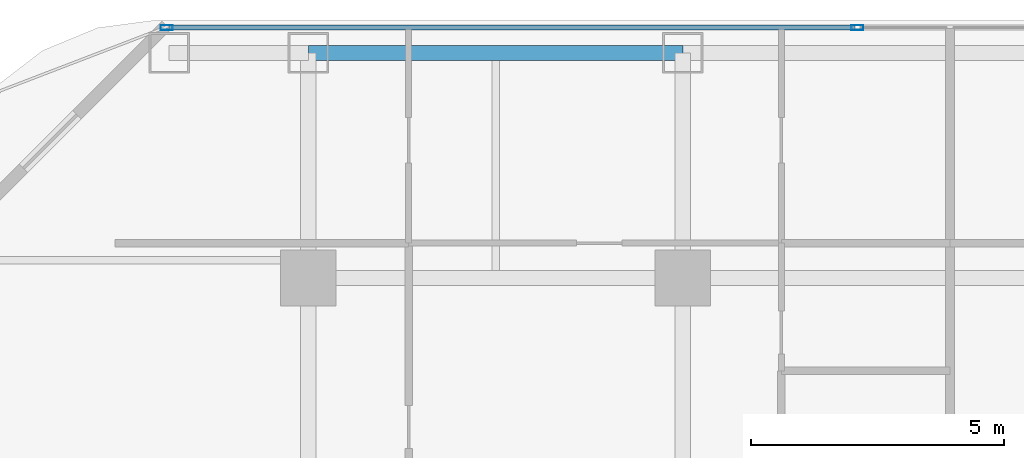
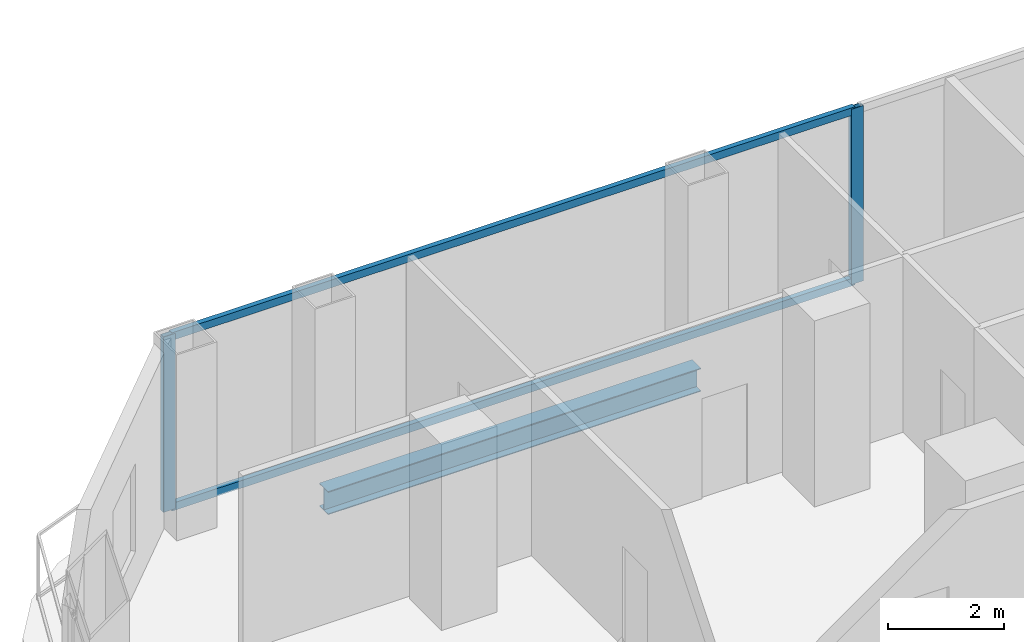
# One storey, part 15 of 28: 4 members, 1 beam, 1 element without a shape of its own.
"""IFC4 building model written with IfcOpenShell, lengths in metres."""

from ifc_helpers import new_model, si_unit, direction, frame, origin, origin_2d, place, context, subcontext, project, spatial, hollow_rectangle, i_section, extrude, material, layer, layer_set, material_profile, profile_set, type_object, element, aggregate, save


model = new_model("IFC4")

# Units and contexts
model_context = context("Model", 3, precision=1e-05, world=origin(), true_north=direction((0.0, 1.0)))
body_context = subcontext(model_context, "Body", "Model", "MODEL_VIEW")
ifc_project = project(units=[si_unit("LENGTHUNIT", "METRE"), si_unit("AREAUNIT", "SQUARE_METRE"), si_unit("VOLUMEUNIT", "CUBIC_METRE"), si_unit("PLANEANGLEUNIT", "RADIAN"), si_unit("MASSUNIT", "GRAM", prefix="KILO")], contexts=[model_context])

# Site, building, storey
site_placement = place(None, origin())
site = spatial("IfcSite", under=ifc_project, at=site_placement, CompositionType="ELEMENT")
building_placement = place(site_placement, origin())
building = spatial("IfcBuilding", under=site, at=building_placement, Name="Khorvyn Point Tower", CompositionType="ELEMENT")
storey_placement = place(building_placement, frame((0.0, 0.0, 34.5)))
storey = spatial("IfcBuildingStorey", under=building, at=storey_placement, Name="L09", CompositionType="ELEMENT", Elevation=34.5)

# Curtain wall, members
ifc_material_1 = material(Name="Anodised aluminium 6063-T6 and laminated Low-E glass", Category="aluminium")
ifc_layer = layer(ifc_material_1, 0.18994140625)
ifc_layer_set = layer_set([ifc_layer], Name="Stick-Built Finned Residential Curtain Wall CW-SYS-02")
curtain_wall_type = type_object("IfcCurtainWallType", Name="Stick-Built Finned Residential Curtain Wall CW-SYS-02", PredefinedType="NOTDEFINED", material=ifc_layer_set)
curtain_wall_placement = place(storey_placement, origin())
curtain_wall = element("IfcCurtainWall", 1, at=curtain_wall_placement, inside=storey, type_object=curtain_wall_type, Name="Curtain Wall", PredefinedType="NOTDEFINED")
ifc_material_2 = material(Name="Anodised aluminium 6063-T6", Category="aluminium")
ifc_material_profile_1 = material_profile(ifc_material_2, hollow_rectangle(XDim=0.10009765625, YDim=0.239990234375, WallThickness=0.0048828125, at=origin_2d()))
ifc_profile_set_1 = profile_set([ifc_material_profile_1], Name="Anodised aluminium 6063-T6 ALU-MUL-100x240")
member_type_1 = type_object("IfcMemberType", Name="Anodised Aluminium 6063-T6 Mullion ALU-MUL-100x240", PredefinedType="MULLION", material=ifc_profile_set_1)
member_1_placement = place(storey_placement, frame((-17.60009765625, 25.050048828125, 0.0), z_axis=(0.0, 0.0, 1.0), x_axis=(0.0, 1.0, 0.0)))
member_1 = element("IfcMember", 2, at=member_1_placement, type_object=member_type_1, Name="Transom", PredefinedType="MULLION", context=body_context, shape_type="SweptSolid", body=[
    extrude(hollow_rectangle(XDim=0.10009765625, YDim=0.239990234375, WallThickness=0.0048828125, at=origin_2d()), origin(), (0.0, 0.0, 1.0), 3.679931640625),
])
member_2_placement = place(storey_placement, frame((-3.949951171875, 25.050048828125, 0.0), z_axis=(0.0, 0.0, 1.0), x_axis=(0.0, 1.0, 0.0)))
member_2 = element("IfcMember", 3, at=member_2_placement, type_object=member_type_1, Name="Transom", PredefinedType="MULLION", context=body_context, shape_type="SweptSolid", body=[
    extrude(hollow_rectangle(XDim=0.10009765625, YDim=0.239990234375, WallThickness=0.0048828125, at=origin_2d()), origin(), (0.0, 0.0, 1.0), 3.679931640625),
])
ifc_material_profile_2 = material_profile(ifc_material_2, hollow_rectangle(XDim=0.10009765625, YDim=0.159912109375, WallThickness=0.00439453125, at=origin_2d()))
ifc_profile_set_2 = profile_set([ifc_material_profile_2], Name="Anodised aluminium 6063-T6 ALU-TRN-100x160")
member_type_2 = type_object("IfcMemberType", Name="Anodised Aluminium 6063-T6 Transom ALU-TRN-100x160", PredefinedType="USERDEFINED", material=ifc_profile_set_2)
member_3_placement = place(storey_placement, frame((-17.550048828125, 25.050048828125, 0.050048828125), z_axis=(1.0, 0.0, 0.0), x_axis=(0.0, 1.0, 0.0)))
member_3 = element("IfcMember", 4, at=member_3_placement, type_object=member_type_2, Name="Transom", ObjectType="TRANSOM", PredefinedType="USERDEFINED", context=body_context, shape_type="SweptSolid", body=[
    extrude(hollow_rectangle(XDim=0.10009765625, YDim=0.159912109375, WallThickness=0.00439453125, at=origin_2d()), origin(), (0.0, 0.0, 1.0), 13.550048828125),
])
member_4_placement = place(storey_placement, frame((-17.550048828125, 25.050048828125, 3.6298828125), z_axis=(1.0, 0.0, 0.0), x_axis=(0.0, 1.0, 0.0)))
member_4 = element("IfcMember", 5, at=member_4_placement, type_object=member_type_2, Name="Transom", ObjectType="TRANSOM", PredefinedType="USERDEFINED", context=body_context, shape_type="SweptSolid", body=[
    extrude(hollow_rectangle(XDim=0.10009765625, YDim=0.159912109375, WallThickness=0.00439453125, at=origin_2d()), origin(), (0.0, 0.0, 1.0), 13.550048828125),
])
aggregate(curtain_wall, [member_1, member_2, member_3, member_4])

# Beam
ifc_material_3 = material(Name="Steel S355", Category="steel")
ifc_material_profile_3 = material_profile(ifc_material_3, i_section(OverallWidth=0.300048828125, OverallDepth=0.488037109375, WebThickness=0.010986328125, FlangeThickness=0.01806640625, at=origin_2d()))
ifc_profile_set_3 = profile_set([ifc_material_profile_3], Name="Steel S355 H488x300x11x18")
beam_type = type_object("IfcBeamType", Name="Steel S355 Spandrel H488x300x11x18", PredefinedType="SPANDREL", material=ifc_profile_set_3)
beam_placement = place(storey_placement, frame((-14.800048828125, 24.550048828125, -0.464111328125), z_axis=(1.0, 0.0, 0.0), x_axis=(0.0, 1.0, 0.0)))
element("IfcBeam", 6, at=beam_placement, inside=storey, type_object=beam_type, Name="Beam", PredefinedType="SPANDREL", context=body_context, shape_type="SweptSolid", body=[
    extrude(i_section(OverallWidth=0.300048828125, OverallDepth=0.488037109375, WebThickness=0.010986328125, FlangeThickness=0.01806640625, at=origin_2d()), origin(), (0.0, 0.0, 1.0), 7.400146484375),
])

save(model, "model.ifc")
